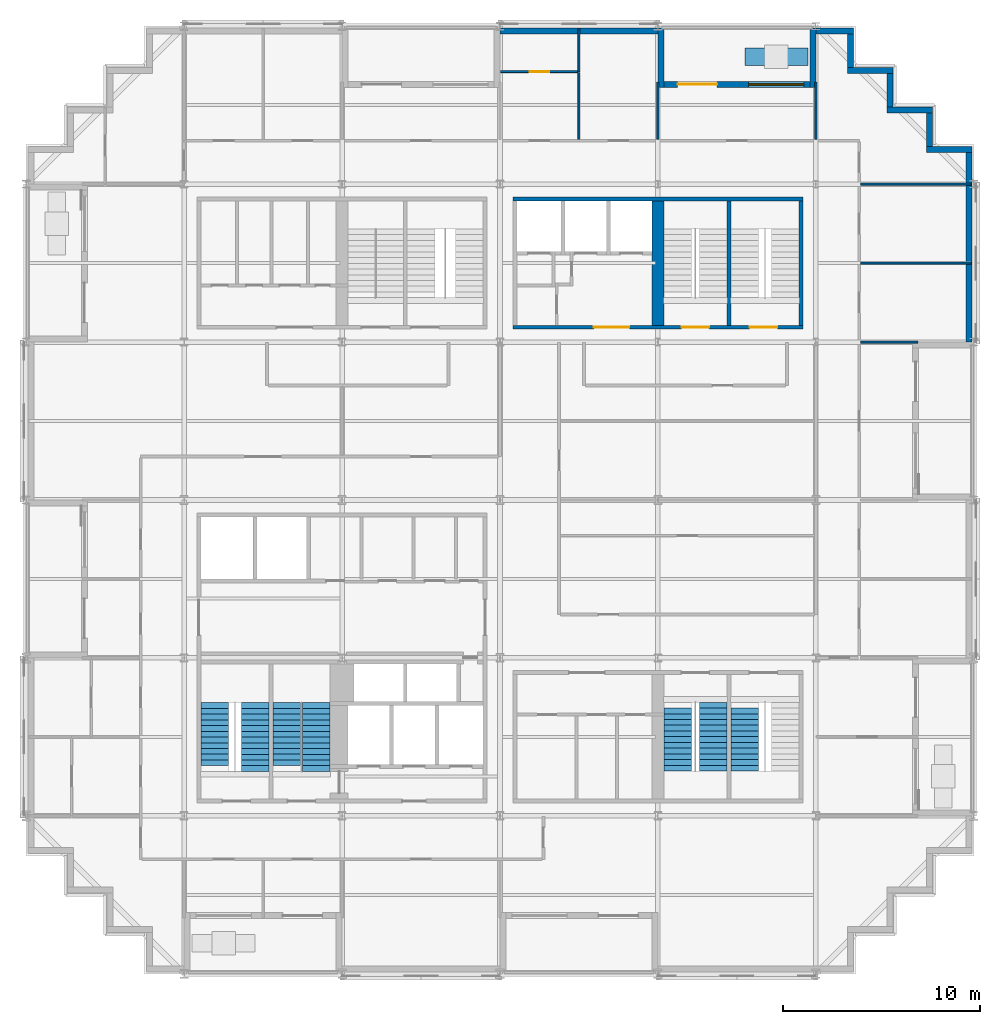
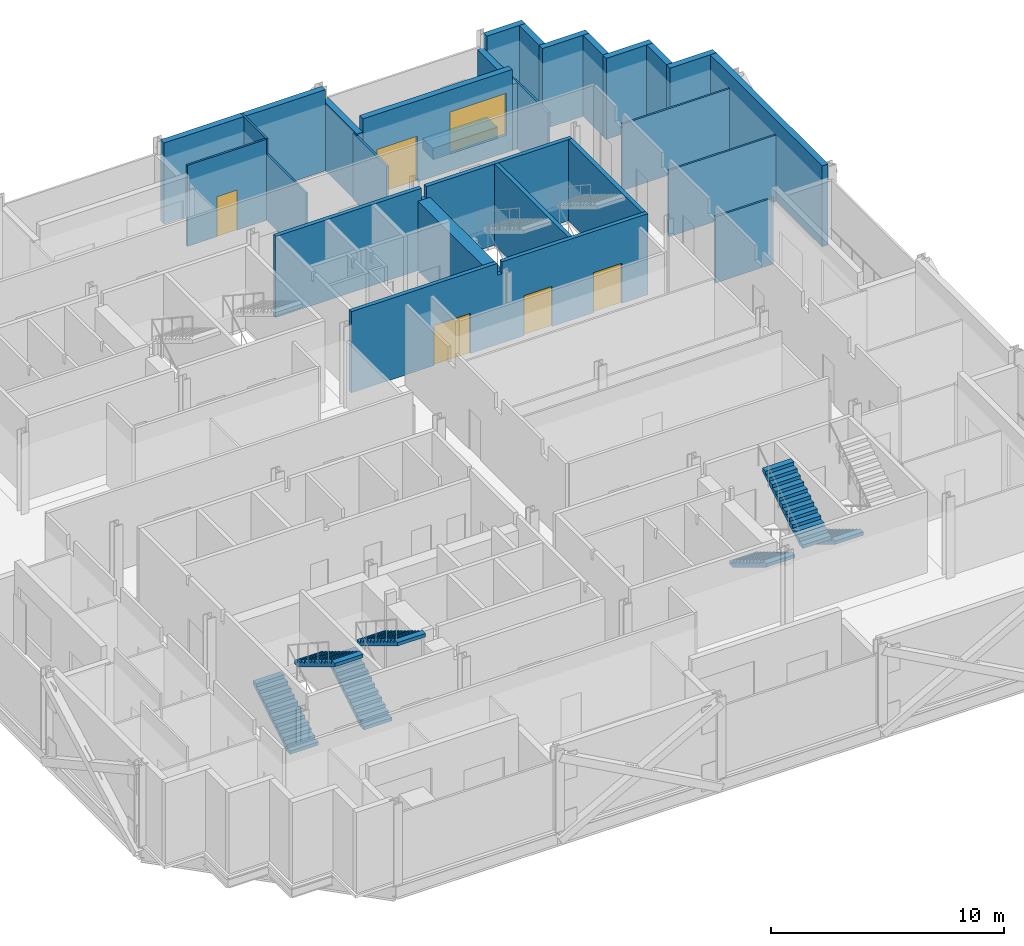
# One storey, part 11 of 15: 26 walls, 7 stair flights, 5 doors, 1 window, 6 openings, 4 elements without a shape of their own.
"""IFC4 building model written with IfcOpenShell, lengths in metres."""

from ifc_helpers import new_model, si_unit, direction, frame, frame_2d, origin, place, context, subcontext, project, spatial, polyline, rectangle, outline, extrude, material, layer, layer_set, type_object, element, fill, aggregate, save


model = new_model("IFC4")

# Units and contexts
model_context = context("Model", 3, precision=1e-05, world=origin(), true_north=direction((0.0, 1.0)))
body_context = subcontext(model_context, "Body", "Model", "MODEL_VIEW")
ifc_project = project(units=[si_unit("LENGTHUNIT", "METRE"), si_unit("AREAUNIT", "SQUARE_METRE"), si_unit("VOLUMEUNIT", "CUBIC_METRE"), si_unit("PLANEANGLEUNIT", "RADIAN"), si_unit("MASSUNIT", "GRAM", prefix="KILO")], contexts=[model_context])

# Site, building, storey
site_placement = place(None, origin())
site = spatial("IfcSite", under=ifc_project, at=site_placement, CompositionType="ELEMENT")
building_placement = place(site_placement, origin())
building = spatial("IfcBuilding", under=site, at=building_placement, Name="Immortelle Media Tower", CompositionType="ELEMENT")
storey_placement = place(building_placement, frame((0.0, 0.0, 100.800048828125)))
storey = spatial("IfcBuildingStorey", under=building, at=storey_placement, Name="L19", CompositionType="ELEMENT", Elevation=100.800048828125)

# Walls
ifc_material_1 = material(Name="Pale aluminium cladding panel", Category="aluminium")
ifc_layer_1 = layer(ifc_material_1, 0.030029296875)
ifc_material_2 = material(Name="Steel ASTM A653 SS Gr 50 stud frame with mineral wool", Category="steel")
ifc_layer_2 = layer(ifc_material_2, 0.257568359375)
ifc_material_3 = material(Name="Moisture-resistant gypsum board", Category="gypsum")
ifc_layer_3 = layer(ifc_material_3, 0.012451171875)
ifc_layer_set_1 = layer_set([ifc_layer_1, ifc_layer_2, ifc_layer_3], Name="Steel ASTM A653 SS Gr 50 stud frame with mineral wool")
wall_type_1 = type_object("IfcWallType", Name="Facade wall 300", PredefinedType="SOLIDWALL", material=ifc_layer_set_1)
wall_1_placement = place(storey_placement, frame((47.75, 32.0, 0.0), z_axis=(0.0, 0.0, 1.0), x_axis=(0.0, 1.0, 0.0)))
element("IfcWall", 1, at=wall_1_placement, inside=storey, type_object=wall_type_1, Name="Facade wall L19 E14", PredefinedType="SOLIDWALL", context=body_context, shape_type="SweptSolid", body=[
    extrude(rectangle(XDim=9.60009765625, YDim=0.300048828125, at=frame_2d((4.800048828125, 0.0))), origin(), (0.0, 0.0, 1.0), 4.25),
])
wall_2_placement = place(storey_placement, frame((47.89990234375, 41.75, 0.0), z_axis=(0.0, 0.0, 1.0), x_axis=(-1.0, 0.0, 0.0)))
element("IfcWall", 2, at=wall_2_placement, inside=storey, type_object=wall_type_1, Name="Facade wall L19 N15", PredefinedType="SOLIDWALL", context=body_context, shape_type="SweptSolid", body=[
    extrude(rectangle(XDim=2.2998046875, YDim=0.300048828125, at=frame_2d((1.14990234375, 0.0))), origin(), (0.0, 0.0, 1.0), 4.25),
])
wall_3_placement = place(storey_placement, frame((45.75, 41.89990234375, 0.0), z_axis=(0.0, 0.0, 1.0), x_axis=(0.0, 1.0, 0.0)))
element("IfcWall", 3, at=wall_3_placement, inside=storey, type_object=wall_type_1, Name="Facade wall L19 E16", PredefinedType="SOLIDWALL", context=body_context, shape_type="SweptSolid", body=[
    extrude(rectangle(XDim=1.7001953125, YDim=0.300048828125, at=frame_2d((0.85009765625, 0.0))), origin(), (0.0, 0.0, 1.0), 4.25),
])
wall_4_placement = place(storey_placement, frame((45.89990234375, 43.75, 0.0), z_axis=(0.0, 0.0, 1.0), x_axis=(-1.0, 0.0, 0.0)))
element("IfcWall", 4, at=wall_4_placement, inside=storey, type_object=wall_type_1, Name="Facade wall L19 N17", PredefinedType="SOLIDWALL", context=body_context, shape_type="SweptSolid", body=[
    extrude(rectangle(XDim=2.2998046875, YDim=0.300048828125, at=frame_2d((1.14990234375, 0.0))), origin(), (0.0, 0.0, 1.0), 4.25),
])
wall_5_placement = place(storey_placement, frame((43.75, 43.89990234375, 0.0), z_axis=(0.0, 0.0, 1.0), x_axis=(0.0, 1.0, 0.0)))
element("IfcWall", 5, at=wall_5_placement, inside=storey, type_object=wall_type_1, Name="Facade wall L19 E18", PredefinedType="SOLIDWALL", context=body_context, shape_type="SweptSolid", body=[
    extrude(rectangle(XDim=1.7001953125, YDim=0.300048828125, at=frame_2d((0.85009765625, 0.0))), origin(), (0.0, 0.0, 1.0), 4.25),
])
wall_6_placement = place(storey_placement, frame((43.89990234375, 45.75, 0.0), z_axis=(0.0, 0.0, 1.0), x_axis=(-1.0, 0.0, 0.0)))
element("IfcWall", 6, at=wall_6_placement, inside=storey, type_object=wall_type_1, Name="Facade wall L19 N19", PredefinedType="SOLIDWALL", context=body_context, shape_type="SweptSolid", body=[
    extrude(rectangle(XDim=2.2998046875, YDim=0.300048828125, at=frame_2d((1.14990234375, 0.0))), origin(), (0.0, 0.0, 1.0), 4.25),
])
wall_7_placement = place(storey_placement, frame((41.75, 45.89990234375, 0.0), z_axis=(0.0, 0.0, 1.0), x_axis=(0.0, 1.0, 0.0)))
element("IfcWall", 7, at=wall_7_placement, inside=storey, type_object=wall_type_1, Name="Facade wall L19 E20", PredefinedType="SOLIDWALL", context=body_context, shape_type="SweptSolid", body=[
    extrude(rectangle(XDim=1.7001953125, YDim=0.300048828125, at=frame_2d((0.85009765625, 0.0))), origin(), (0.0, 0.0, 1.0), 4.25),
])
wall_8_placement = place(storey_placement, frame((41.89990234375, 47.75, 0.0), z_axis=(0.0, 0.0, 1.0), x_axis=(-1.0, 0.0, 0.0)))
element("IfcWall", 8, at=wall_8_placement, inside=storey, type_object=wall_type_1, Name="Facade wall L19 N21", PredefinedType="SOLIDWALL", context=body_context, shape_type="SweptSolid", body=[
    extrude(rectangle(XDim=1.89990234375, YDim=0.300048828125, at=frame_2d((0.949951171875, 0.0))), origin(), (0.0, 0.0, 1.0), 4.25),
])

# Wall, openings, door, window
wall_9_placement = place(storey_placement, frame((39.699951171875, 45.050048828125, 0.0), z_axis=(0.0, 0.0, 1.0), x_axis=(-1.0, 0.0, 0.0)))
wall_9 = element("IfcWall", 9, at=wall_9_placement, inside=storey, type_object=wall_type_1, Name="Loggia wall L19 N21", PredefinedType="SOLIDWALL", context=body_context, shape_type="SweptSolid", body=[
    extrude(rectangle(XDim=7.39990234375, YDim=0.300048828125, at=frame_2d((3.699951171875, 0.0))), origin(), (0.0, 0.0, 1.0), 4.25),
])
opening_1_placement = place(wall_9_placement, frame((0.300048828125, 0.0, 0.89990234375)))
opening_1 = element("IfcOpeningElement", 10, at=opening_1_placement, cuts=wall_9, Name="Opening W1", PredefinedType="OPENING", context=body_context, shape_type="SweptSolid", body=[
    extrude(rectangle(XDim=2.800048828125, YDim=2.199951171875, at=frame_2d((1.39990234375, 1.10009765625))), frame((0.0, 0.159912109375, 0.0), z_axis=(0.0, -1.0, 0.0), x_axis=(1.0, 0.0, 0.0)), (0.0, 0.0, 1.0), 0.320068359375),
])
opening_2_placement = place(wall_9_placement, frame((4.699951171875, 0.0, 0.0)))
opening_2 = element("IfcOpeningElement", 11, at=opening_2_placement, cuts=wall_9, Name="Opening N6-E007", PredefinedType="OPENING", context=body_context, shape_type="SweptSolid", body=[
    extrude(rectangle(XDim=2.0, YDim=2.39990234375, at=frame_2d((1.0, 1.199951171875))), frame((0.0, 0.159912109375, 0.0), z_axis=(0.0, -1.0, 0.0), x_axis=(1.0, 0.0, 0.0)), (0.0, 0.0, 1.0), 0.320068359375),
])
ifc_material_4 = material(Name="Aluminium frame, glazed leaves", Category="aluminium")
door_type_1 = type_object("IfcDoorType", Name="Loggia door 2000 x 2400", OperationType="DOUBLE_DOOR_SINGLE_SWING", PredefinedType="DOOR", material=ifc_material_4)
door_1_placement = place(opening_2_placement, origin())
door_1 = element("IfcDoor", 12, at=door_1_placement, inside=storey, type_object=door_type_1, Name="Door N6-E007", OperationType="DOUBLE_DOOR_SINGLE_SWING", OverallHeight=2.39990234375, OverallWidth=2.0, PredefinedType="DOOR", context=body_context, shape_type="SweptSolid", body=[
    extrude(rectangle(XDim=2.0, YDim=2.39990234375, at=frame_2d((1.0, 1.199951171875))), frame((0.0, 0.02490234375, 0.0), z_axis=(0.0, -1.0, 0.0), x_axis=(1.0, 0.0, 0.0)), (0.0, 0.0, 1.0), 0.050048828125),
])
fill(opening_2, door_1)
ifc_material_5 = material(Name="Aluminium frame", Category="aluminium")
window_type = type_object("IfcWindowType", Name="Window 2800 x 2200", PartitioningType="SINGLE_PANEL", PredefinedType="WINDOW", material=ifc_material_5)
window_placement = place(opening_1_placement, origin())
window = element("IfcWindow", 13, at=window_placement, inside=storey, type_object=window_type, Name="Window L19 L19-R21-B0", OverallHeight=2.199951171875, OverallWidth=2.800048828125, PartitioningType="SINGLE_PANEL", PredefinedType="WINDOW", context=body_context, shape_type="SweptSolid", body=[
    extrude(rectangle(XDim=2.800048828125, YDim=2.199951171875, at=frame_2d((1.39990234375, 1.10009765625))), frame((0.0, 0.030029296875, 0.0), z_axis=(0.0, -1.0, 0.0), x_axis=(1.0, 0.0, 0.0)), (0.0, 0.0, 1.0), 0.06005859375),
])
fill(opening_1, window)

# Walls
wall_10_placement = place(storey_placement, frame((39.85009765625, 47.89990234375, 0.0), z_axis=(0.0, 0.0, 1.0), x_axis=(0.0, -1.0, 0.0)))
element("IfcWall", 14, at=wall_10_placement, inside=storey, type_object=wall_type_1, Name="Loggia cheek wall L19 N", PredefinedType="SOLIDWALL", context=body_context, shape_type="SweptSolid", body=[
    extrude(rectangle(XDim=3.0, YDim=0.300048828125, at=frame_2d((1.5, 0.0))), origin(), (0.0, 0.0, 1.0), 3.468994140625),
])
wall_11_placement = place(storey_placement, frame((32.14990234375, 47.89990234375, 0.0), z_axis=(0.0, 0.0, 1.0), x_axis=(0.0, -1.0, 0.0)))
element("IfcWall", 15, at=wall_11_placement, inside=storey, type_object=wall_type_1, Name="Loggia cheek wall L19 N", PredefinedType="SOLIDWALL", context=body_context, shape_type="SweptSolid", body=[
    extrude(rectangle(XDim=3.0, YDim=0.300048828125, at=frame_2d((1.5, 0.0))), origin(), (0.0, 0.0, 1.0), 3.555908203125),
])
wall_12_placement = place(storey_placement, frame((32.0, 47.75, 0.0), z_axis=(0.0, 0.0, 1.0), x_axis=(-1.0, 0.0, 0.0)))
element("IfcWall", 16, at=wall_12_placement, inside=storey, type_object=wall_type_1, Name="Facade wall L19 N21", PredefinedType="SOLIDWALL", context=body_context, shape_type="SweptSolid", body=[
    extrude(rectangle(XDim=8.0, YDim=0.300048828125, at=frame_2d((4.0, 0.0))), origin(), (0.0, 0.0, 1.0), 4.25),
])
ifc_material_6 = material(Name="Gypsum board", Category="gypsum")
ifc_layer_4 = layer(ifc_material_6, 0.012451171875)
ifc_layer_5 = layer(ifc_material_2, 0.074951171875)
ifc_layer_6 = layer(ifc_material_6, 0.012451171875)
ifc_layer_set_2 = layer_set([ifc_layer_4, ifc_layer_5, ifc_layer_6], Name="Steel ASTM A653 SS Gr 50 stud frame with mineral wool")
wall_type_2 = type_object("IfcWallType", Name="Partition 100", PredefinedType="PARTITIONING", material=ifc_layer_set_2)
wall_13_placement = place(storey_placement, frame((42.27490234375, 32.0, 0.0), z_axis=(0.0, 0.0, 1.0), x_axis=(1.0, 0.0, 0.0)))
element("IfcWall", 17, at=wall_13_placement, inside=storey, type_object=wall_type_2, Name="Partition L19-041", PredefinedType="PARTITIONING", context=body_context, shape_type="SweptSolid", body=[
    extrude(rectangle(XDim=2.89501953125, YDim=0.10009765625, at=frame_2d((1.447509765625, 0.0))), origin(), (0.0, 0.0, 1.0), 3.469970703125),
])
for number, where, z_axis, x_axis, name in (
    (18, (42.27490234375, 36.0, 0.0), (0.0, 0.0, 1.0), (1.0, 0.0, 0.0), "Partition L19-042"),
    (19, (42.27490234375, 40.0, 0.0), (0.0, 0.0, 1.0), (1.0, 0.0, 0.0), "Partition L19-046"),
):
    element("IfcWall", number, at=place(storey_placement, frame(where, z_axis=z_axis, x_axis=x_axis)), inside=storey, type_object=wall_type_2, Name=name, PredefinedType="PARTITIONING", context=body_context, shape_type="SweptSolid", body=[
        extrude(rectangle(XDim=5.59521484375, YDim=0.10009765625, at=frame_2d((2.797607421875, 0.0))), origin(), (0.0, 0.0, 1.0), 3.469970703125),
    ])
wall_14_placement = place(storey_placement, frame((28.0, 42.27490234375, 0.0), z_axis=(0.0, 0.0, 1.0), x_axis=(0.0, 1.0, 0.0)))
element("IfcWall", 20, at=wall_14_placement, inside=storey, type_object=wall_type_2, Name="Partition L19-053", PredefinedType="PARTITIONING", context=body_context, shape_type="SweptSolid", body=[
    extrude(rectangle(XDim=3.375, YDim=0.10009765625, at=frame_2d((1.6875, 0.0))), origin(), (0.0, 0.0, 1.0), 3.469970703125),
])
for number, where, z_axis, x_axis, name in (
    (21, (32.0, 42.27490234375, 0.0), (0.0, 0.0, 1.0), (0.0, 1.0, 0.0), "Partition L19-054"),
    (22, (40.0, 42.27490234375, 0.0), (0.0, 0.0, 1.0), (0.0, 1.0, 0.0), "Partition L19-055"),
):
    element("IfcWall", number, at=place(storey_placement, frame(where, z_axis=z_axis, x_axis=x_axis)), inside=storey, type_object=wall_type_2, Name=name, PredefinedType="PARTITIONING", context=body_context, shape_type="SweptSolid", body=[
        extrude(rectangle(XDim=2.89501953125, YDim=0.10009765625, at=frame_2d((1.447509765625, 0.0))), origin(), (0.0, 0.0, 1.0), 3.469970703125),
    ])

# Wall, opening, door
wall_15_placement = place(storey_placement, frame((24.030029296875, 45.699951171875, 0.0), z_axis=(0.0, 0.0, 1.0), x_axis=(1.0, 0.0, 0.0)))
wall_15 = element("IfcWall", 23, at=wall_15_placement, inside=storey, type_object=wall_type_2, Name="Partition L19-056", PredefinedType="PARTITIONING", context=body_context, shape_type="SweptSolid", body=[
    extrude(rectangle(XDim=3.919921875, YDim=0.10009765625, at=frame_2d((1.9599609375, 0.0))), origin(), (0.0, 0.0, 1.0), 4.25),
])
opening_3_placement = place(wall_15_placement, frame((1.469970703125, 0.0, 0.0)))
opening_3 = element("IfcOpeningElement", 24, at=opening_3_placement, cuts=wall_15, Name="Opening N6-F033", PredefinedType="OPENING", context=body_context, shape_type="SweptSolid", body=[
    extrude(rectangle(XDim=1.0, YDim=2.10009765625, at=frame_2d((0.5, 1.050048828125))), frame((0.0, 0.06005859375, 0.0), z_axis=(0.0, -1.0, 0.0), x_axis=(1.0, 0.0, 0.0)), (0.0, 0.0, 1.0), 0.1201171875),
])
ifc_material_7 = material(Name="Timber veneered door leaf, galvanised steel frame ASTM A653", Category="steel")
door_type_2 = type_object("IfcDoorType", Name="Room door 1000 x 2100", OperationType="NOTDEFINED", PredefinedType="DOOR", material=ifc_material_7)
door_2_placement = place(opening_3_placement, origin())
door_2 = element("IfcDoor", 25, at=door_2_placement, inside=storey, type_object=door_type_2, Name="Door N6-F033", OperationType="SINGLE_SWING_LEFT", OverallHeight=2.10009765625, OverallWidth=1.0, PredefinedType="DOOR", context=body_context, shape_type="SweptSolid", body=[
    extrude(rectangle(XDim=1.0, YDim=2.10009765625, at=frame_2d((0.5, 1.050048828125))), frame((0.0, 0.02490234375, 0.0), z_axis=(0.0, -1.0, 0.0), x_axis=(1.0, 0.0, 0.0)), (0.0, 0.0, 1.0), 0.050048828125),
])
fill(opening_3, door_2)

# Walls
wall_16_placement = place(storey_placement, frame((28.0, 45.699951171875, 0.0), z_axis=(0.0, 0.0, 1.0), x_axis=(0.0, 1.0, 0.0)))
element("IfcWall", 26, at=wall_16_placement, inside=storey, type_object=wall_type_2, Name="Partition L19-057", PredefinedType="PARTITIONING", context=body_context, shape_type="SweptSolid", body=[
    extrude(rectangle(XDim=2.170166015625, YDim=0.10009765625, at=frame_2d((1.0849609375, 0.0))), origin(), (0.0, 0.0, 1.0), 4.25),
])
ifc_layer_7 = layer(ifc_material_1, 0.0029296875)
ifc_material_8 = material(Name="Steel ASTM A572 Gr 50 planter shell", Category="steel")
ifc_layer_8 = layer(ifc_material_8, 0.011962890625)
ifc_material_9 = material(Name="Planting substrate", Category="soil")
ifc_layer_9 = layer(ifc_material_9, 0.873046875)
ifc_layer_10 = layer(ifc_material_8, 0.011962890625)
ifc_layer_set_3 = layer_set([ifc_layer_7, ifc_layer_8, ifc_layer_9, ifc_layer_10], Name="Steel ASTM A572 Gr 50 planter shell")
wall_type_3 = type_object("IfcWallType", Name="Planter wall 900", PredefinedType="SOLIDWALL", material=ifc_layer_set_3)
wall_17_placement = place(storey_placement, frame((39.60009765625, 46.449951171875, 0.0), z_axis=(0.0, 0.0, 1.0), x_axis=(-1.0, 0.0, 0.0)))
element("IfcWall", 27, at=wall_17_placement, inside=storey, type_object=wall_type_3, Name="Planter L19 N0", PredefinedType="SOLIDWALL", context=body_context, shape_type="SweptSolid", body=[
    extrude(rectangle(XDim=3.2001953125, YDim=0.89990234375, at=frame_2d((1.60009765625, 0.0))), origin(), (0.0, 0.0, 1.0), 0.599853515625),
])

# Wall, openings, doors
ifc_material_10 = material(Name="Concrete C60", Category="concrete")
ifc_layer_11 = layer(ifc_material_10, 0.199951171875)
ifc_layer_set_4 = layer_set([ifc_layer_11], Name="Concrete C60")
wall_type_4 = type_object("IfcWallType", Name="Stair shaft wall 200", PredefinedType="PARTITIONING", material=ifc_layer_set_4)
wall_18_placement = place(storey_placement, frame((24.64990234375, 32.75, 0.0), z_axis=(0.0, 0.0, 1.0), x_axis=(1.0, 0.0, 0.0)))
wall_18 = element("IfcWall", 28, at=wall_18_placement, inside=storey, type_object=wall_type_4, Name="Stair shaft wall NE", PredefinedType="PARTITIONING", context=body_context, shape_type="SweptSolid", body=[
    extrude(outline(polyline([(0.0, 0.0), (14.7001953125, 0.0), (14.699951171875, 4.25), (7.469482421875, 4.25), (7.468505859375, 3.6318359375), (7.2314453125, 3.6318359375), (7.23046875, 4.25), (0.0, 4.25), (0.0, 0.0)])), frame((0.0, 0.10009765625, 0.0), z_axis=(0.0, -1.0, 0.0), x_axis=(1.0, 0.0, 0.0)), (0.0, 0.0, 1.0), 0.199951171875),
])
opening_4_placement = place(wall_18_placement, frame((4.10009765625, 0.0, 0.0)))
opening_4 = element("IfcOpeningElement", 29, at=opening_4_placement, cuts=wall_18, Name="Opening N6-K032", PredefinedType="OPENING", context=body_context, shape_type="SweptSolid", body=[
    extrude(rectangle(XDim=1.800048828125, YDim=2.10009765625, at=frame_2d((0.89990234375, 1.050048828125))), frame((0.0, 0.10986328125, 0.0), z_axis=(0.0, -1.0, 0.0), x_axis=(1.0, 0.0, 0.0)), (0.0, 0.0, 1.0), 0.219970703125),
])
opening_5_placement = place(wall_18_placement, frame((8.550048828125, 0.0, 0.0)))
opening_5 = element("IfcOpeningElement", 30, at=opening_5_placement, cuts=wall_18, Name="Opening N6-K034", PredefinedType="OPENING", context=body_context, shape_type="SweptSolid", body=[
    extrude(rectangle(XDim=1.39990234375, YDim=2.10009765625, at=frame_2d((0.699951171875, 1.050048828125))), frame((0.0, 0.10986328125, 0.0), z_axis=(0.0, -1.0, 0.0), x_axis=(1.0, 0.0, 0.0)), (0.0, 0.0, 1.0), 0.219970703125),
])
opening_6_placement = place(wall_18_placement, frame((12.0, 0.0, 0.0)))
opening_6 = element("IfcOpeningElement", 31, at=opening_6_placement, cuts=wall_18, Name="Opening N6-K035", PredefinedType="OPENING", context=body_context, shape_type="SweptSolid", body=[
    extrude(rectangle(XDim=1.39990234375, YDim=2.10009765625, at=frame_2d((0.699951171875, 1.050048828125))), frame((0.0, 0.10986328125, 0.0), z_axis=(0.0, -1.0, 0.0), x_axis=(1.0, 0.0, 0.0)), (0.0, 0.0, 1.0), 0.219970703125),
])
ifc_material_11 = material(Name="Galvanised steel door leaf and frame ASTM A653", Category="steel")
door_type_3 = type_object("IfcDoorType", Name="Lift lobby door 1800 x 2100", OperationType="DOUBLE_DOOR_SINGLE_SWING", PredefinedType="NOTDEFINED", material=ifc_material_11)
door_3_placement = place(opening_4_placement, origin())
door_3 = element("IfcDoor", 32, at=door_3_placement, inside=storey, type_object=door_type_3, Name="Lift lobby N6-K032", OperationType="DOUBLE_DOOR_SINGLE_SWING", OverallHeight=2.10009765625, OverallWidth=1.800048828125, PredefinedType="NOTDEFINED", context=body_context, shape_type="SweptSolid", body=[
    extrude(rectangle(XDim=1.800048828125, YDim=2.10009765625, at=frame_2d((0.89990234375, 1.050048828125))), frame((0.0, 0.02490234375, 0.0), z_axis=(0.0, -1.0, 0.0), x_axis=(1.0, 0.0, 0.0)), (0.0, 0.0, 1.0), 0.050048828125),
])
fill(opening_4, door_3)
door_type_4 = type_object("IfcDoorType", Name="Stair door 1400 x 2100", OperationType="DOUBLE_DOOR_SINGLE_SWING", PredefinedType="NOTDEFINED", material=ifc_material_11)
door_4_placement = place(opening_5_placement, origin())
door_4 = element("IfcDoor", 33, at=door_4_placement, inside=storey, type_object=door_type_4, Name="Stair N6-K034", OperationType="DOUBLE_DOOR_SINGLE_SWING", OverallHeight=2.10009765625, OverallWidth=1.39990234375, PredefinedType="NOTDEFINED", context=body_context, shape_type="SweptSolid", body=[
    extrude(rectangle(XDim=1.39990234375, YDim=2.10009765625, at=frame_2d((0.699951171875, 1.050048828125))), frame((0.0, 0.02490234375, 0.0), z_axis=(0.0, -1.0, 0.0), x_axis=(1.0, 0.0, 0.0)), (0.0, 0.0, 1.0), 0.050048828125),
])
fill(opening_5, door_4)
door_5_placement = place(opening_6_placement, origin())
door_5 = element("IfcDoor", 34, at=door_5_placement, inside=storey, type_object=door_type_4, Name="Stair N6-K035", OperationType="DOUBLE_DOOR_SINGLE_SWING", OverallHeight=2.10009765625, OverallWidth=1.39990234375, PredefinedType="NOTDEFINED", context=body_context, shape_type="SweptSolid", body=[
    extrude(rectangle(XDim=1.39990234375, YDim=2.10009765625, at=frame_2d((0.699951171875, 1.050048828125))), frame((0.0, 0.02490234375, 0.0), z_axis=(0.0, -1.0, 0.0), x_axis=(1.0, 0.0, 0.0)), (0.0, 0.0, 1.0), 0.050048828125),
])
fill(opening_6, door_5)

# Walls
wall_19_placement = place(storey_placement, frame((24.64990234375, 39.25, 0.0), z_axis=(0.0, 0.0, 1.0), x_axis=(1.0, 0.0, 0.0)))
element("IfcWall", 35, at=wall_19_placement, inside=storey, type_object=wall_type_4, Name="Stair shaft wall NE", PredefinedType="PARTITIONING", context=body_context, shape_type="SweptSolid", body=[
    extrude(outline(polyline([(0.0, 0.0), (14.7001953125, 0.0), (14.699951171875, 4.25), (7.469482421875, 4.25), (7.468505859375, 3.6318359375), (7.2314453125, 3.6318359375), (7.23046875, 4.25), (0.0, 4.25), (0.0, 0.0)])), frame((0.0, 0.10009765625, 0.0), z_axis=(0.0, -1.0, 0.0), x_axis=(1.0, 0.0, 0.0)), (0.0, 0.0, 1.0), 0.199951171875),
])
for number, where, z_axis, x_axis, name in (
    (36, (35.60009765625, 32.85009765625, 0.0), (0.0, 0.0, 1.0), (0.0, 1.0, 0.0), "Stair shaft wall NE"),
    (37, (39.25, 32.85009765625, 0.0), (0.0, 0.0, 1.0), (0.0, 1.0, 0.0), "Stair shaft wall NE"),
):
    element("IfcWall", number, at=place(storey_placement, frame(where, z_axis=z_axis, x_axis=x_axis)), inside=storey, type_object=wall_type_4, Name=name, PredefinedType="PARTITIONING", context=body_context, shape_type="SweptSolid", body=[
        extrude(rectangle(XDim=6.2998046875, YDim=0.199951171875, at=frame_2d((3.14990234375, 0.0))), origin(), (0.0, 0.0, 1.0), 4.25),
    ])
ifc_layer_12 = layer(ifc_material_10, 0.60009765625)
ifc_layer_set_5 = layer_set([ifc_layer_12], Name="Concrete C60")
wall_type_5 = type_object("IfcWallType", Name="Stair shaft wall 600", PredefinedType="PARTITIONING", material=ifc_layer_set_5)
wall_20_placement = place(storey_placement, frame((32.0, 32.85009765625, 0.0), z_axis=(0.0, 0.0, 1.0), x_axis=(0.0, 1.0, 0.0)))
element("IfcWall", 38, at=wall_20_placement, inside=storey, type_object=wall_type_5, Name="Stair shaft wall NE", PredefinedType="PARTITIONING", context=body_context, shape_type="SweptSolid", body=[
    extrude(rectangle(XDim=6.2998046875, YDim=0.60009765625, at=frame_2d((3.14990234375, 0.0))), origin(), (0.0, 0.0, 1.0), 3.6318359375),
])

# Stair, stair flights
ifc_material_12 = material(Name="Steel ASTM A992 Gr 50", Category="steel")
stair_type = type_object("IfcStairType", Name="Stair with flights", PredefinedType="DOUBLE_RETURN_STAIR", material=ifc_material_12)
stair_1_placement = place(storey_placement, origin())
stair_1 = element("IfcStair", 39, at=stair_1_placement, inside=storey, type_object=stair_type, Name="Exit stair SW1", PredefinedType="DOUBLE_RETURN_STAIR")
stair_flight_type = type_object("IfcStairFlightType", Name="Stair flight 1400", PredefinedType="STRAIGHT", material=ifc_material_12)
stair_flight_1_placement = place(storey_placement, frame((9.550048828125, 10.5400390625, 0.0), z_axis=(0.0, 0.0, 1.0), x_axis=(0.0, 1.0, 0.0)))
stair_flight_1 = element("IfcStairFlight", 40, at=stair_flight_1_placement, type_object=stair_flight_type, Name="ST SW1 flight 1", NumberOfRisers=12, NumberOfTreads=11, PredefinedType="STRAIGHT", RiserHeight=0.176, TreadLength=0.29, context=body_context, shape_type="SweptSolid", body=[
    extrude(outline(polyline([(0.0, 0.0), (0.0, 0.176025390625), (0.2900390625, 0.176025390625), (0.2900390625, 0.35205078125), (0.580078125, 0.35205078125), (0.580078125, 0.528076171875), (0.8701171875, 0.528076171875), (0.8701171875, 0.7041015625), (1.159912109375, 0.7041015625), (1.159912109375, 0.8798828125), (1.449951171875, 0.8798828125), (1.449951171875, 1.055908203125), (1.739990234375, 1.055908203125), (1.739990234375, 1.23193359375), (2.030029296875, 1.23193359375), (2.030029296875, 1.407958984375), (2.320068359375, 1.407958984375), (2.320068359375, 1.583984375), (2.610107421875, 1.583984375), (2.610107421875, 1.760009765625), (2.89990234375, 1.760009765625), (2.89990234375, 1.93603515625), (3.18994140625, 1.93603515625), (3.18994140625, 2.112060546875), (3.18994140625, 1.7607421875), (0.288818359375, 0.0), (0.0, 0.0)])), frame((0.0, 0.699951171875, 0.0), z_axis=(0.0, -1.0, 0.0), x_axis=(1.0, 0.0, 0.0)), (0.0, 0.0, 1.0), 1.39990234375),
])
stair_flight_2_placement = place(storey_placement, frame((11.60009765625, 13.72998046875, 2.112060546875), z_axis=(0.0, 0.0, 1.0), x_axis=(0.0, -1.0, 0.0)))
stair_flight_2 = element("IfcStairFlight", 41, at=stair_flight_2_placement, type_object=stair_flight_type, Name="ST SW1 flight 2", NumberOfRisers=13, NumberOfTreads=12, PredefinedType="STRAIGHT", RiserHeight=0.176, TreadLength=0.29, context=body_context, shape_type="SweptSolid", body=[
    extrude(outline(polyline([(0.0, 0.0), (0.0, 0.176025390625), (0.2900390625, 0.176025390625), (0.2900390625, 0.35205078125), (0.580078125, 0.35205078125), (0.580078125, 0.528076171875), (0.8701171875, 0.528076171875), (0.8701171875, 0.7041015625), (1.159912109375, 0.7041015625), (1.159912109375, 0.8798828125), (1.449951171875, 0.8798828125), (1.449951171875, 1.055908203125), (1.739990234375, 1.055908203125), (1.739990234375, 1.23193359375), (2.030029296875, 1.23193359375), (2.030029296875, 1.407958984375), (2.320068359375, 1.407958984375), (2.320068359375, 1.583984375), (2.610107421875, 1.583984375), (2.610107421875, 1.760009765625), (2.89990234375, 1.760009765625), (2.89990234375, 1.93603515625), (3.18994140625, 1.93603515625), (3.18994140625, 2.112060546875), (3.47998046875, 2.112060546875), (3.47998046875, 2.2880859375), (3.47998046875, 1.936767578125), (0.288818359375, 0.0), (0.0, 0.0)])), frame((0.0, 0.699951171875, 0.0), z_axis=(0.0, -1.0, 0.0), x_axis=(1.0, 0.0, 0.0)), (0.0, 0.0, 1.0), 1.39990234375),
])
aggregate(stair_1, [stair_flight_1, stair_flight_2])

stair_2_placement = place(storey_placement, origin())
stair_2 = element("IfcStair", 42, at=stair_2_placement, inside=storey, type_object=stair_type, Name="Exit stair SW2", PredefinedType="DOUBLE_RETURN_STAIR")
stair_flight_3_placement = place(storey_placement, frame((13.199951171875, 10.5400390625, 0.0), z_axis=(0.0, 0.0, 1.0), x_axis=(0.0, 1.0, 0.0)))
stair_flight_3 = element("IfcStairFlight", 43, at=stair_flight_3_placement, type_object=stair_flight_type, Name="ST SW2 flight 1", NumberOfRisers=12, NumberOfTreads=11, PredefinedType="STRAIGHT", RiserHeight=0.176, TreadLength=0.29, context=body_context, shape_type="SweptSolid", body=[
    extrude(outline(polyline([(0.0, 0.0), (0.0, 0.176025390625), (0.2900390625, 0.176025390625), (0.2900390625, 0.35205078125), (0.580078125, 0.35205078125), (0.580078125, 0.528076171875), (0.8701171875, 0.528076171875), (0.8701171875, 0.7041015625), (1.159912109375, 0.7041015625), (1.159912109375, 0.8798828125), (1.449951171875, 0.8798828125), (1.449951171875, 1.055908203125), (1.739990234375, 1.055908203125), (1.739990234375, 1.23193359375), (2.030029296875, 1.23193359375), (2.030029296875, 1.407958984375), (2.320068359375, 1.407958984375), (2.320068359375, 1.583984375), (2.610107421875, 1.583984375), (2.610107421875, 1.760009765625), (2.89990234375, 1.760009765625), (2.89990234375, 1.93603515625), (3.18994140625, 1.93603515625), (3.18994140625, 2.112060546875), (3.18994140625, 1.7607421875), (0.288818359375, 0.0), (0.0, 0.0)])), frame((0.0, 0.699951171875, 0.0), z_axis=(0.0, -1.0, 0.0), x_axis=(1.0, 0.0, 0.0)), (0.0, 0.0, 1.0), 1.39990234375),
])
stair_flight_4_placement = place(storey_placement, frame((14.699951171875, 13.72998046875, 2.112060546875), z_axis=(0.0, 0.0, 1.0), x_axis=(0.0, -1.0, 0.0)))
stair_flight_4 = element("IfcStairFlight", 44, at=stair_flight_4_placement, type_object=stair_flight_type, Name="ST SW2 flight 2", NumberOfRisers=13, NumberOfTreads=12, PredefinedType="STRAIGHT", RiserHeight=0.176, TreadLength=0.29, context=body_context, shape_type="SweptSolid", body=[
    extrude(outline(polyline([(0.0, 0.0), (0.0, 0.176025390625), (0.2900390625, 0.176025390625), (0.2900390625, 0.35205078125), (0.580078125, 0.35205078125), (0.580078125, 0.528076171875), (0.8701171875, 0.528076171875), (0.8701171875, 0.7041015625), (1.159912109375, 0.7041015625), (1.159912109375, 0.8798828125), (1.449951171875, 0.8798828125), (1.449951171875, 1.055908203125), (1.739990234375, 1.055908203125), (1.739990234375, 1.23193359375), (2.030029296875, 1.23193359375), (2.030029296875, 1.407958984375), (2.320068359375, 1.407958984375), (2.320068359375, 1.583984375), (2.610107421875, 1.583984375), (2.610107421875, 1.760009765625), (2.89990234375, 1.760009765625), (2.89990234375, 1.93603515625), (3.18994140625, 1.93603515625), (3.18994140625, 2.112060546875), (3.47998046875, 2.112060546875), (3.47998046875, 2.2880859375), (3.47998046875, 1.936767578125), (0.288818359375, 0.0), (0.0, 0.0)])), frame((0.0, 0.699951171875, 0.0), z_axis=(0.0, -1.0, 0.0), x_axis=(1.0, 0.0, 0.0)), (0.0, 0.0, 1.0), 1.39990234375),
])
aggregate(stair_2, [stair_flight_3, stair_flight_4])

stair_3_placement = place(storey_placement, origin())
stair_3 = element("IfcStair", 45, at=stair_3_placement, inside=storey, type_object=stair_type, Name="Exit stair SE1", PredefinedType="DOUBLE_RETURN_STAIR")
stair_flight_5_placement = place(storey_placement, frame((33.0, 13.4599609375, 0.0), z_axis=(0.0, 0.0, 1.0), x_axis=(0.0, -1.0, 0.0)))
stair_flight_5 = element("IfcStairFlight", 46, at=stair_flight_5_placement, type_object=stair_flight_type, Name="ST SE1 flight 1", NumberOfRisers=12, NumberOfTreads=11, PredefinedType="STRAIGHT", RiserHeight=0.176, TreadLength=0.29, context=body_context, shape_type="SweptSolid", body=[
    extrude(outline(polyline([(0.0, 0.0), (0.0, 0.176025390625), (0.2900390625, 0.176025390625), (0.2900390625, 0.35205078125), (0.580078125, 0.35205078125), (0.580078125, 0.528076171875), (0.8701171875, 0.528076171875), (0.8701171875, 0.7041015625), (1.159912109375, 0.7041015625), (1.159912109375, 0.8798828125), (1.449951171875, 0.8798828125), (1.449951171875, 1.055908203125), (1.739990234375, 1.055908203125), (1.739990234375, 1.23193359375), (2.030029296875, 1.23193359375), (2.030029296875, 1.407958984375), (2.320068359375, 1.407958984375), (2.320068359375, 1.583984375), (2.610107421875, 1.583984375), (2.610107421875, 1.760009765625), (2.89990234375, 1.760009765625), (2.89990234375, 1.93603515625), (3.18994140625, 1.93603515625), (3.18994140625, 2.112060546875), (3.18994140625, 1.7607421875), (0.288818359375, 0.0), (0.0, 0.0)])), frame((0.0, 0.699951171875, 0.0), z_axis=(0.0, -1.0, 0.0), x_axis=(1.0, 0.0, 0.0)), (0.0, 0.0, 1.0), 1.39990234375),
])
stair_flight_6_placement = place(storey_placement, frame((34.800048828125, 10.27001953125, 2.112060546875), z_axis=(0.0, 0.0, 1.0), x_axis=(0.0, 1.0, 0.0)))
stair_flight_6 = element("IfcStairFlight", 47, at=stair_flight_6_placement, type_object=stair_flight_type, Name="ST SE1 flight 2", NumberOfRisers=13, NumberOfTreads=12, PredefinedType="STRAIGHT", RiserHeight=0.176, TreadLength=0.29, context=body_context, shape_type="SweptSolid", body=[
    extrude(outline(polyline([(0.0, 0.0), (0.0, 0.176025390625), (0.2900390625, 0.176025390625), (0.2900390625, 0.35205078125), (0.580078125, 0.35205078125), (0.580078125, 0.528076171875), (0.8701171875, 0.528076171875), (0.8701171875, 0.7041015625), (1.159912109375, 0.7041015625), (1.159912109375, 0.8798828125), (1.449951171875, 0.8798828125), (1.449951171875, 1.055908203125), (1.739990234375, 1.055908203125), (1.739990234375, 1.23193359375), (2.030029296875, 1.23193359375), (2.030029296875, 1.407958984375), (2.320068359375, 1.407958984375), (2.320068359375, 1.583984375), (2.610107421875, 1.583984375), (2.610107421875, 1.760009765625), (2.89990234375, 1.760009765625), (2.89990234375, 1.93603515625), (3.18994140625, 1.93603515625), (3.18994140625, 2.112060546875), (3.47998046875, 2.112060546875), (3.47998046875, 2.2880859375), (3.47998046875, 1.936767578125), (0.288818359375, 0.0), (0.0, 0.0)])), frame((0.0, 0.699951171875, 0.0), z_axis=(0.0, -1.0, 0.0), x_axis=(1.0, 0.0, 0.0)), (0.0, 0.0, 1.0), 1.39990234375),
])
aggregate(stair_3, [stair_flight_5, stair_flight_6])

# Stair, stair flight
stair_4_placement = place(storey_placement, origin())
stair_4 = element("IfcStair", 48, at=stair_4_placement, inside=storey, type_object=stair_type, Name="Exit stair SE2", PredefinedType="DOUBLE_RETURN_STAIR")
stair_flight_7_placement = place(storey_placement, frame((36.39990234375, 13.4599609375, 0.0), z_axis=(0.0, 0.0, 1.0), x_axis=(0.0, -1.0, 0.0)))
stair_flight_7 = element("IfcStairFlight", 49, at=stair_flight_7_placement, type_object=stair_flight_type, Name="ST SE2 flight 1", NumberOfRisers=12, NumberOfTreads=11, PredefinedType="STRAIGHT", RiserHeight=0.176, TreadLength=0.29, context=body_context, shape_type="SweptSolid", body=[
    extrude(outline(polyline([(0.0, 0.0), (0.0, 0.176025390625), (0.2900390625, 0.176025390625), (0.2900390625, 0.35205078125), (0.580078125, 0.35205078125), (0.580078125, 0.528076171875), (0.8701171875, 0.528076171875), (0.8701171875, 0.7041015625), (1.159912109375, 0.7041015625), (1.159912109375, 0.8798828125), (1.449951171875, 0.8798828125), (1.449951171875, 1.055908203125), (1.739990234375, 1.055908203125), (1.739990234375, 1.23193359375), (2.030029296875, 1.23193359375), (2.030029296875, 1.407958984375), (2.320068359375, 1.407958984375), (2.320068359375, 1.583984375), (2.610107421875, 1.583984375), (2.610107421875, 1.760009765625), (2.89990234375, 1.760009765625), (2.89990234375, 1.93603515625), (3.18994140625, 1.93603515625), (3.18994140625, 2.112060546875), (3.18994140625, 1.7607421875), (0.288818359375, 0.0), (0.0, 0.0)])), frame((0.0, 0.699951171875, 0.0), z_axis=(0.0, -1.0, 0.0), x_axis=(1.0, 0.0, 0.0)), (0.0, 0.0, 1.0), 1.39990234375),
])
aggregate(stair_4, [stair_flight_7])

save(model, "model.ifc")
